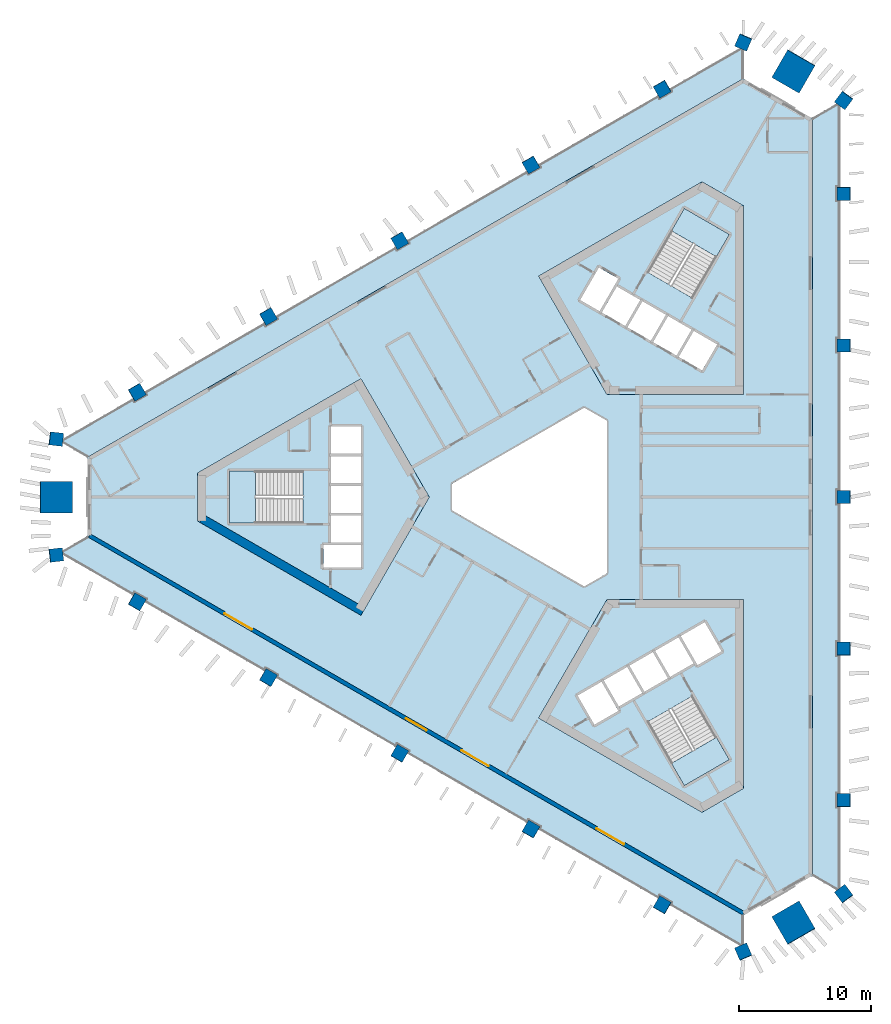
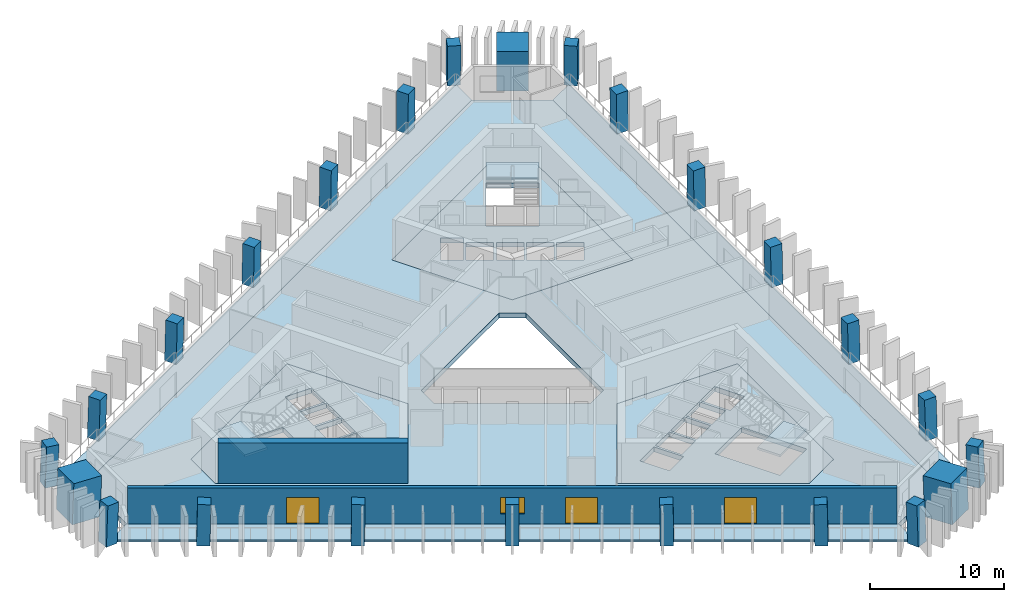
# One storey, part 1 of 10: 24 columns, 10 slabs, 3 doors, 2 walls, 1 window, 4 openings, 3 elements without a shape of their own.
"""IFC4 building model written with IfcOpenShell, lengths in metres."""

import ifcopenshell
import ifcopenshell.guid

model = None  # the IFC model being written
_history = None  # IfcOwnerHistory: only IFC2X3 demands one
_inside = {}  # id of a spatial element -> (the spatial element, [elements in it])
_under = {}  # id of a project, library or spatial element -> (it, [spatial elements below it])
_declared = {}  # id of a project -> (the project, [libraries it declares])
_typed = {}  # id of a type object -> (the type object, [elements of that type])
_made_of = {}  # id of a material, layer set ... -> (it, [elements and type objects made of it])


def new_model(schema):
    """Start an empty IFC model of exactly this schema.

    Asked for "IFC4X3", IfcOpenShell would pick the latest addendum, in which some entities
    have other attributes; the version numbers below select the first issue.
    IFC2X3 requires an IfcOwnerHistory on every rooted entity: one is made here for all.
    """
    global model, _history
    if schema == "IFC4X3":
        model = ifcopenshell.file(schema_version=(4, 3, 0, 0))
    else:
        model = ifcopenshell.file(schema=schema)
    _inside.clear()
    _under.clear()
    _declared.clear()
    _typed.clear()
    _made_of.clear()
    _history = None
    if model.schema == "IFC2X3":
        org = make("IfcOrganization", Name="unknown")
        user = make(
            "IfcPersonAndOrganization",
            ThePerson=make("IfcPerson", FamilyName="unknown"),
            TheOrganization=org,
        )
        app = make(
            "IfcApplication",
            ApplicationDeveloper=org,
            Version="unknown",
            ApplicationFullName="unknown",
            ApplicationIdentifier="unknown",
        )
        _history = make(
            "IfcOwnerHistory",
            OwningUser=user,
            OwningApplication=app,
            ChangeAction="ADDED",
            CreationDate=0,
        )
    return model


def make(cls, **values):
    """One entity of the class cls with the attributes given. An attribute that is None is left unset."""
    return model.create_entity(
        cls, **{name: value for name, value in values.items() if value is not None}
    )


def rooted(cls, **values):
    """An entity with a GlobalId (a new one), such as an element, a storey or a relation."""
    return make(cls, GlobalId=ifcopenshell.guid.new(), OwnerHistory=_history, **values)


def si_unit(unit_type, name, prefix=None):
    """IfcSIUnit, for example si_unit("LENGTHUNIT", "METRE", prefix="MILLI")."""
    return make("IfcSIUnit", UnitType=unit_type, Prefix=prefix, Name=name)


def assignment(units):
    """IfcUnitAssignment: the units of a project."""
    return None if units is None else make("IfcUnitAssignment", Units=units)


def point(xyz):
    """IfcCartesianPoint."""
    return None if xyz is None else make("IfcCartesianPoint", Coordinates=xyz)


def direction(xyz):
    """IfcDirection."""
    return None if xyz is None else make("IfcDirection", DirectionRatios=xyz)


def frame(location, z_axis=None, x_axis=None):
    """IfcAxis2Placement3D, a coordinate frame: its origin and axes. An axis left out is left unset."""
    return make(
        "IfcAxis2Placement3D",
        Location=point(location),
        Axis=direction(z_axis),
        RefDirection=direction(x_axis),
    )


def frame_2d(location, x_axis=None):
    """IfcAxis2Placement2D, a coordinate frame in the plane: its origin and x axis."""
    return make(
        "IfcAxis2Placement2D", Location=point(location), RefDirection=direction(x_axis)
    )


def origin():
    """The frame at (0, 0, 0) with its axes left unset."""
    return frame((0.0, 0.0, 0.0))


def origin_2d():
    """The frame at (0, 0) in the plane with its x axis left unset."""
    return frame_2d((0.0, 0.0))


def place(relative_to, where):
    """IfcLocalPlacement: puts the frame where relative to a parent placement (None: the world)."""
    return make(
        "IfcLocalPlacement", PlacementRelTo=relative_to, RelativePlacement=where
    )


def context(
    kind, dimensions, precision=None, world=None, true_north=None, identifier=None
):
    """IfcGeometricRepresentationContext, for example the 3D "Model" context."""
    return make(
        "IfcGeometricRepresentationContext",
        ContextIdentifier=identifier,
        ContextType=kind,
        CoordinateSpaceDimension=dimensions,
        Precision=precision,
        WorldCoordinateSystem=world,
        TrueNorth=true_north,
    )


def subcontext(parent, identifier, kind, view, scale=None):
    """IfcGeometricRepresentationSubContext, for example "Body" below "Model"."""
    return make(
        "IfcGeometricRepresentationSubContext",
        ContextIdentifier=identifier,
        ContextType=kind,
        ParentContext=parent,
        TargetScale=scale,
        TargetView=view,
    )


def project(units=None, contexts=None):
    """IfcProject with its units and contexts."""
    return rooted(
        "IfcProject",
        Name="project",
        RepresentationContexts=contexts,
        UnitsInContext=assignment(units),
    )


def spatial(cls, under=None, at=None, **own):
    """A site, building, storey or space (cls), placed at a placement, below another one or the project."""
    s = rooted(cls, ObjectPlacement=at, **own)
    if under is not None:
        _under.setdefault(under.id(), (under, []))[1].append(s)
    return s


def polyline(points):
    """IfcPolyline through the points."""
    return make("IfcPolyline", Points=[point(p) for p in points])


def profile(cls, at=None, kind="AREA", **sizes):
    """A parametric profile (cls). Its sizes go by their IFC names, for example OverallWidth=200.0."""
    return make(cls, ProfileType=kind, Position=at, **sizes)


def rectangle(**sizes):
    """IfcRectangleProfileDef."""
    return profile("IfcRectangleProfileDef", **sizes)


def outline(outer, holes=None, kind="AREA"):
    """IfcArbitraryClosedProfileDef: a profile drawn as a closed curve; with holes, ...WithVoids."""
    if holes is None:
        return make("IfcArbitraryClosedProfileDef", ProfileType=kind, OuterCurve=outer)
    return make(
        "IfcArbitraryProfileDefWithVoids",
        ProfileType=kind,
        OuterCurve=outer,
        InnerCurves=holes,
    )


def extrude(swept, where, along, depth):
    """IfcExtrudedAreaSolid: the profile swept, set in the frame where, extruded along a direction by depth."""
    return make(
        "IfcExtrudedAreaSolid",
        SweptArea=swept,
        Position=where,
        ExtrudedDirection=direction(along),
        Depth=depth,
    )


def shape(context_of_items, identifier, shape_type, items):
    """IfcShapeRepresentation: the items that make up one representation, for example the "Body"."""
    return make(
        "IfcShapeRepresentation",
        ContextOfItems=context_of_items,
        RepresentationIdentifier=identifier,
        RepresentationType=shape_type,
        Items=items,
    )


def material(Name=None, Category=None):
    """IfcMaterial."""
    return make("IfcMaterial", Name=Name, Category=Category)


def layer(
    of_material, thickness, ventilated=None, Name=None, Category=None, Priority=None
):
    """IfcMaterialLayer: one layer of a wall or slab, of a material (None: an air gap)."""
    return make(
        "IfcMaterialLayer",
        Material=of_material,
        LayerThickness=thickness,
        IsVentilated=ventilated,
        Name=Name,
        Category=Category,
        Priority=Priority,
    )


def layer_set(layers, Name=None):
    """IfcMaterialLayerSet."""
    return make("IfcMaterialLayerSet", MaterialLayers=layers, LayerSetName=Name)


def material_profile(
    of_material, cross_section, Name=None, Category=None, Priority=None
):
    """IfcMaterialProfile: a cross section and its material."""
    return make(
        "IfcMaterialProfile",
        Name=Name,
        Material=of_material,
        Profile=cross_section,
        Priority=Priority,
        Category=Category,
    )


def profile_set(profiles, Name=None, composite=None):
    """IfcMaterialProfileSet."""
    return make(
        "IfcMaterialProfileSet",
        Name=Name,
        MaterialProfiles=profiles,
        CompositeProfile=composite,
    )


def made_of(thing, what):
    """Note that an element or type object is made of a material, layer set ...; save() writes the relation."""
    if what is not None:
        _made_of.setdefault(what.id(), (what, []))[1].append(thing)
    return thing


def type_object(cls, material=None, **own):
    """A type object (cls), such as IfcWallType, which elements share."""
    return made_of(rooted(cls, **own), material)


def element(
    cls,
    number,
    at=None,
    inside=None,
    cuts=None,
    type_object=None,
    material=None,
    context=None,
    identifier="Body",
    shape_type=None,
    held_by="IfcProductDefinitionShape",
    body=None,
    shapes=None,
    **own,
):
    """One element of the class cls, such as IfcWall. Its Tag is "e" and its number.

    at: its placement. inside: the storey or other place that contains it. cuts: it is an
    opening in that element (IfcRelVoidsElement). A single representation is given by context,
    identifier, shape_type and body (its items); several are given by shapes. held_by: the class
    of the entity that holds the representations. save() writes the other relations.
    """
    e = rooted(cls, Tag="e%d" % number, ObjectPlacement=at, **own)
    if body is not None:
        shapes = [shape(context, identifier, shape_type, body)]
    if shapes is not None:
        e.Representation = make(held_by, Representations=shapes)
    if inside is not None:
        _inside.setdefault(inside.id(), (inside, []))[1].append(e)
    if cuts is not None:
        rooted(
            "IfcRelVoidsElement", RelatingBuildingElement=cuts, RelatedOpeningElement=e
        )
    if type_object is not None:
        _typed.setdefault(type_object.id(), (type_object, []))[1].append(e)
    return made_of(e, material)


def fill(opening, filler):
    """IfcRelFillsElement: the door or window that sits in an opening."""
    return rooted(
        "IfcRelFillsElement",
        RelatingOpeningElement=opening,
        RelatedBuildingElement=filler,
    )


def aggregate(whole, parts):
    """IfcRelAggregates: a whole, such as a stair, and the parts it consists of."""
    return rooted("IfcRelAggregates", RelatingObject=whole, RelatedObjects=parts)


def save(model, path):
    """Write the relations noted so far, then the file.

    IfcRelAggregates (storeys below a building ...), IfcRelContainedInSpatialStructure (elements
    in a storey), IfcRelDefinesByType, IfcRelAssociatesMaterial and IfcRelDeclares: one each for
    every whole, place, type object, material and project.
    """
    for whole, parts in _under.values():
        aggregate(whole, parts)
    for where, things in _inside.values():
        rooted(
            "IfcRelContainedInSpatialStructure",
            RelatedElements=things,
            RelatingStructure=where,
        )
    for kind, things in _typed.values():
        rooted("IfcRelDefinesByType", RelatedObjects=things, RelatingType=kind)
    for what, things in _made_of.values():
        rooted("IfcRelAssociatesMaterial", RelatedObjects=things, RelatingMaterial=what)
    for by, libraries in _declared.values():
        rooted("IfcRelDeclares", RelatingContext=by, RelatedDefinitions=libraries)
    model.write(path)


model = new_model("IFC4")

# Units and contexts
model_context = context("Model", 3, precision=1e-05, world=origin(), true_north=direction((0.0, 1.0)))
body_context = subcontext(model_context, "Body", "Model", "MODEL_VIEW")
ifc_project = project(units=[si_unit("LENGTHUNIT", "METRE"), si_unit("AREAUNIT", "SQUARE_METRE"), si_unit("VOLUMEUNIT", "CUBIC_METRE"), si_unit("PLANEANGLEUNIT", "RADIAN"), si_unit("MASSUNIT", "GRAM", prefix="KILO")], contexts=[model_context])

# Site, building, storey
site_placement = place(None, origin())
site = spatial("IfcSite", under=ifc_project, at=site_placement, CompositionType="ELEMENT")
building_placement = place(site_placement, origin())
building = spatial("IfcBuilding", under=site, at=building_placement, Name="Jabali Bay Hotel Tower and Convention Centre", CompositionType="ELEMENT")
storey_placement = place(building_placement, frame((0.0, 0.0, 106.800048828125)))
storey = spatial("IfcBuildingStorey", under=building, at=storey_placement, Name="L25", CompositionType="ELEMENT", Elevation=106.800048828125)

# Columns
ifc_material_1 = material(Name="Concrete C60", Category="concrete")
ifc_material_profile_1 = material_profile(ifc_material_1, rectangle(XDim=1.0, YDim=1.0, at=origin_2d()), Name="Frame column 1000")
ifc_profile_set_1 = profile_set([ifc_material_profile_1], Name="Concrete C60")
column_type_1 = type_object("IfcColumnType", Name="Frame column 1000", PredefinedType="COLUMN", material=ifc_profile_set_1)
column_1_placement = place(storey_placement, frame((83.705322265625, 111.006103515625, 0.0), z_axis=(-0.00837646992, -0.028097450282, 0.999570091609), x_axis=(0.866172944967, 0.499290516463, 0.0212934163)))
element("IfcColumn", 1, at=column_1_placement, inside=storey, type_object=column_type_1, Name="FC3 F1.1 L25", PredefinedType="COLUMN", context=body_context, shape_type="SweptSolid", body=[
    extrude(rectangle(XDim=1.0, YDim=1.0, at=origin_2d()), origin(), (0.0, 0.0, 1.0), 3.70166015625),
])
column_2_placement = place(storey_placement, frame((73.727783203125, 105.24560546875, 0.0), z_axis=(0.000857578916, -0.022824792675, 0.999739112668), x_axis=(0.866054303765, 0.499836094294, 0.010668728649)))
element("IfcColumn", 2, at=column_2_placement, inside=storey, type_object=column_type_1, Name="FC3 F1.2 L25", PredefinedType="COLUMN", context=body_context, shape_type="SweptSolid", body=[
    extrude(rectangle(XDim=1.0, YDim=1.0, at=origin_2d()), origin(), (0.0, 0.0, 1.0), 3.700927734375),
])
column_3_placement = place(storey_placement, frame((63.750244140625, 99.485107421875, 0.0), z_axis=(0.010093620709, -0.017482414954, 0.999796221231), x_axis=(0.866020200589, 0.50000901209, 8.5616e-08)))
element("IfcColumn", 3, at=column_3_placement, inside=storey, type_object=column_type_1, Name="FC3 F1.3 L25", PredefinedType="COLUMN", context=body_context, shape_type="SweptSolid", body=[
    extrude(rectangle(XDim=1.0, YDim=1.0, at=origin_2d()), origin(), (0.0, 0.0, 1.0), 3.70068359375),
])
column_4_placement = place(storey_placement, frame((53.772705078125, 93.724609375, 0.0), z_axis=(0.019328516974, -0.012138044789, 0.999739504221), x_axis=(-0.500205614953, 0.865671455024, 0.020181048691)))
element("IfcColumn", 4, at=column_4_placement, inside=storey, type_object=column_type_1, Name="FC3 F1.4 L25", PredefinedType="COLUMN", context=body_context, shape_type="SweptSolid", body=[
    extrude(rectangle(XDim=1.0, YDim=1.0, at=origin_2d()), origin(), (0.0, 0.0, 1.0), 3.700927734375),
])
for number, where, z_axis, x_axis, name in (
    (5, (43.795166015625, 87.964111328125, 0.0), (0.02855911485, -0.006793507689, 0.999569019734), (-0.500399895775, 0.865559193602, 0.020179858252), "FC3 F1.5 L25"),
    (6, (43.795166015625, 72.035888671875, 0.0), (0.02855911485, 0.006793507689, 0.999569019734), (-0.865323246693, 0.500760552185, 0.021320133879), "FC3 F2.1 L25"),
):
    element("IfcColumn", number, at=place(storey_placement, frame(where, z_axis=z_axis, x_axis=x_axis)), inside=storey, type_object=column_type_1, Name=name, PredefinedType="COLUMN", context=body_context, shape_type="SweptSolid", body=[
        extrude(rectangle(XDim=1.0, YDim=1.0, at=origin_2d()), origin(), (0.0, 0.0, 1.0), 3.70166015625),
    ])
column_5_placement = place(storey_placement, frame((53.772705078125, 66.275390625, 0.0), z_axis=(0.019328516974, 0.012138044789, 0.999739504221), x_axis=(-0.865690909737, 0.500465383244, 0.010660627254)))
element("IfcColumn", 7, at=column_5_placement, inside=storey, type_object=column_type_1, Name="FC3 F2.2 L25", PredefinedType="COLUMN", context=body_context, shape_type="SweptSolid", body=[
    extrude(rectangle(XDim=1.0, YDim=1.0, at=origin_2d()), origin(), (0.0, 0.0, 1.0), 3.700927734375),
])
column_6_placement = place(storey_placement, frame((63.750244140625, 60.514892578125, 0.0), z_axis=(0.010093620709, 0.017482414954, 0.999796221231), x_axis=(-0.499907122366, -0.865843723195, 0.020187025824)))
element("IfcColumn", 8, at=column_6_placement, inside=storey, type_object=column_type_1, Name="FC3 F2.3 L25", PredefinedType="COLUMN", context=body_context, shape_type="SweptSolid", body=[
    extrude(rectangle(XDim=1.0, YDim=1.0, at=origin_2d()), origin(), (0.0, 0.0, 1.0), 3.70068359375),
])
column_7_placement = place(storey_placement, frame((73.727783203125, 54.75439453125, 0.0), z_axis=(0.000857578916, 0.022824792675, 0.999739112668), x_axis=(-0.499949204908, -0.865819211891, 0.020196158824)))
element("IfcColumn", 9, at=column_7_placement, inside=storey, type_object=column_type_1, Name="FC3 F2.4 L25", PredefinedType="COLUMN", context=body_context, shape_type="SweptSolid", body=[
    extrude(rectangle(XDim=1.0, YDim=1.0, at=origin_2d()), origin(), (0.0, 0.0, 1.0), 3.700927734375),
])
for number, where, z_axis, x_axis, name in (
    (10, (83.705322265625, 48.993896484375, 0.0), (-0.00837646992, 0.028097450282, 0.999570091609), (-0.499674157986, -0.865978933611, 0.020154959265), "FC3 F2.5 L25"),
    (11, (97.49951171875, 56.9580078125, 0.0), (-0.020182659751, 0.021303918626, 0.999569308901), (0.000221932948, -0.999772833181, 0.021312737486), "FC3 F0.1 L25"),
):
    element("IfcColumn", number, at=place(storey_placement, frame(where, z_axis=z_axis, x_axis=x_axis)), inside=storey, type_object=column_type_1, Name=name, PredefinedType="COLUMN", context=body_context, shape_type="SweptSolid", body=[
        extrude(rectangle(XDim=1.0, YDim=1.0, at=origin_2d()), origin(), (0.0, 0.0, 1.0), 3.70166015625),
    ])
column_8_placement = place(storey_placement, frame((97.49951171875, 68.47900390625, 0.0), z_axis=(-0.020186088539, 0.010686752756, 0.999739123544), x_axis=(-0.001012906877, -0.999942577175, 0.010668475618)))
element("IfcColumn", 12, at=column_8_placement, inside=storey, type_object=column_type_1, Name="FC3 F0.2 L25", PredefinedType="COLUMN", context=body_context, shape_type="SweptSolid", body=[
    extrude(rectangle(XDim=1.0, YDim=1.0, at=origin_2d()), origin(), (0.0, 0.0, 1.0), 3.700927734375),
])
column_9_placement = place(storey_placement, frame((97.49951171875, 80.0, 0.0), z_axis=(-0.020187241331, 0.0, 0.99979621688), x_axis=(0.0, -1.0, 0.0)))
element("IfcColumn", 13, at=column_9_placement, inside=storey, type_object=column_type_1, Name="FC3 F0.3 L25", PredefinedType="COLUMN", context=body_context, shape_type="SweptSolid", body=[
    extrude(rectangle(XDim=1.0, YDim=1.0, at=origin_2d()), origin(), (0.0, 0.0, 1.0), 3.70068359375),
])
column_10_placement = place(storey_placement, frame((97.49951171875, 91.52099609375, 0.0), z_axis=(-0.020186088539, -0.010686752756, 0.999739123544), x_axis=(0.999795727061, 0.00079728784, 0.020195754082)))
element("IfcColumn", 14, at=column_10_placement, inside=storey, type_object=column_type_1, Name="FC3 F0.4 L25", PredefinedType="COLUMN", context=body_context, shape_type="SweptSolid", body=[
    extrude(rectangle(XDim=1.0, YDim=1.0, at=origin_2d()), origin(), (0.0, 0.0, 1.0), 3.700927734375),
])
column_11_placement = place(storey_placement, frame((97.49951171875, 103.0419921875, 0.0), z_axis=(-0.020182659751, -0.021303918626, 0.999569308901), x_axis=(0.999796284746, -0.000651985093, 0.020173346879)))
element("IfcColumn", 15, at=column_11_placement, inside=storey, type_object=column_type_1, Name="FC3 F0.5 L25", PredefinedType="COLUMN", context=body_context, shape_type="SweptSolid", body=[
    extrude(rectangle(XDim=1.0, YDim=1.0, at=origin_2d()), origin(), (0.0, 0.0, 1.0), 3.70166015625),
])
for number, where, z_axis, x_axis, name in (
    (16, (97.49951171875, 49.84423828125, 0.0), (-0.020178741915, 0.029015184452, 0.999375273581), (-0.80160141065, -0.597857678699, 0.001172375254), "FC3 V0 L25"),
    (17, (97.49951171875, 110.15576171875, 0.0), (-0.020178741915, -0.029015184452, 0.999375273581), (0.597518197897, 0.801076972014, 0.035322628587), "FC3 V1 L25"),
    (18, (89.865966796875, 114.56298828125, 0.0), (-0.015035141917, -0.031982648376, 0.99937533225), (0.918593615635, -0.395201714294, 0.00117232022), "FC3 V2 L25"),
    (19, (37.634521484375, 84.4072265625, 0.0), (0.03521388716, -0.002967462401, 0.999375393092), (-0.992511910896, 0.116930138927, 0.035319248873), "FC3 V3 L25"),
    (20, (37.634521484375, 75.5927734375, 0.0), (0.03521388716, 0.002967462401, 0.999375393092), (-0.116961912097, 0.993135709144, 0.00117232294), "FC3 V4 L25"),
    (21, (89.865966796875, 45.43701171875, 0.0), (-0.015035141917, 0.031982648376, 0.99937533225), (0.394917350623, -0.918037425829, 0.03532097047), "FC3 V5 L25"),
):
    element("IfcColumn", number, at=place(storey_placement, frame(where, z_axis=z_axis, x_axis=x_axis)), inside=storey, type_object=column_type_1, Name=name, PredefinedType="COLUMN", context=body_context, shape_type="SweptSolid", body=[
        extrude(rectangle(XDim=1.0, YDim=1.0, at=origin_2d()), origin(), (0.0, 0.0, 1.0), 3.7021484375),
    ])
ifc_material_2 = material(Name="Concrete C70", Category="concrete")
ifc_material_profile_2 = material_profile(ifc_material_2, rectangle(XDim=2.39990234375, YDim=2.39990234375, at=origin_2d()), Name="Mega column 2400")
ifc_profile_set_2 = profile_set([ifc_material_profile_2], Name="Concrete C70")
column_type_2 = type_object("IfcColumnType", Name="Mega column 2400", PredefinedType="COLUMN", material=ifc_profile_set_2)
for number, where, z_axis, x_axis, name in (
    (22, (93.6826171875, 112.359375, 0.0), (-0.017607037296, -0.030466109479, 0.999380712447), (0.500067085975, 0.865271470658, 0.035187946645), "MC3 M1 L25"),
    (23, (37.634521484375, 80.0, 0.0), (0.035214042205, 0.0, 0.999379793288), (0.0, 1.0, 0.0), "MC3 M0 L25"),
    (24, (93.6826171875, 47.640625, 0.0), (-0.017607037296, 0.030466109479, 0.999380712447), (-0.865807658641, -0.500376956142, 2.31533e-07), "MC3 M2 L25"),
):
    element("IfcColumn", number, at=place(storey_placement, frame(where, z_axis=z_axis, x_axis=x_axis)), inside=storey, type_object=column_type_2, Name=name, PredefinedType="COLUMN", context=body_context, shape_type="SweptSolid", body=[
        extrude(rectangle(XDim=2.39990234375, YDim=2.39990234375, at=origin_2d()), origin(), (0.0, 0.0, 1.0), 3.7021484375),
    ])

# Slabs
ifc_material_3 = material(Name="Concrete C40", Category="concrete")
ifc_layer_1 = layer(ifc_material_3, 0.449951171875)
ifc_layer_set_1 = layer_set([ifc_layer_1], Name="Concrete C40")
slab_type_1 = type_object("IfcSlabType", Name="Core floor slab 450", PredefinedType="FLOOR", material=ifc_layer_set_1)
slab_1_placement = place(storey_placement, frame((0.0, 0.0, -0.449951171875)))
element("IfcSlab", 25, at=slab_1_placement, inside=storey, type_object=slab_type_1, Name="Core floor slab 1 L25", PredefinedType="FLOOR", context=body_context, shape_type="SweptSolid", body=[
    extrude(outline(polyline([(66.0, 80.0), (60.81005859375, 88.9892578125), (48.39697265625, 81.82275390625), (48.39697265625, 78.17724609375), (60.81005859375, 71.0107421875), (66.0, 80.0)]), holes=[polyline([(60.800048828125, 74.64990234375), (60.800048828125, 76.35009765625), (57.949951171875, 76.35009765625), (57.949951171875, 74.64990234375), (60.800048828125, 74.64990234375)]), polyline([(58.52001953125, 76.550048828125), (60.800048828125, 76.550048828125), (60.800048828125, 78.60009765625), (58.52001953125, 78.60009765625), (58.52001953125, 76.550048828125)]), polyline([(58.52001953125, 78.800048828125), (60.800048828125, 78.800048828125), (60.800048828125, 80.85009765625), (58.52001953125, 80.85009765625), (58.52001953125, 78.800048828125)]), polyline([(56.409912109375, 81.97509765625), (50.820068359375, 81.97509765625), (50.820068359375, 78.02490234375), (56.409912109375, 78.02490234375), (56.409912109375, 81.97509765625)]), polyline([(58.52001953125, 81.050048828125), (60.800048828125, 81.050048828125), (60.800048828125, 83.10009765625), (58.52001953125, 83.10009765625), (58.52001953125, 81.050048828125)]), polyline([(58.52001953125, 83.300048828125), (60.800048828125, 83.300048828125), (60.800048828125, 85.35009765625), (58.52001953125, 85.35009765625), (58.52001953125, 83.300048828125)])]), origin(), (0.0, 0.0, 1.0), 0.449951171875),
])
slab_2_placement = place(storey_placement, frame((0.0, 0.0, -0.449951171875)))
element("IfcSlab", 26, at=slab_2_placement, inside=storey, type_object=slab_type_1, Name="Core floor slab 2 L25", PredefinedType="FLOOR", context=body_context, shape_type="SweptSolid", body=[
    extrude(outline(polyline([(79.5, 87.794189453125), (89.8798828125, 87.794189453125), (89.8798828125, 102.127685546875), (86.72314453125, 103.9501953125), (74.31005859375, 96.78369140625), (79.5, 87.794189453125)]), holes=[polyline([(84.957763671875, 90.6474609375), (86.733154296875, 89.62255859375), (87.873291015625, 91.59716796875), (86.097900390625, 92.6220703125), (84.957763671875, 90.6474609375)]), polyline([(84.1494140625, 93.7470703125), (83.00927734375, 91.7724609375), (84.78466796875, 90.74755859375), (85.924560546875, 92.72216796875), (84.1494140625, 93.7470703125)]), polyline([(82.20068359375, 94.8720703125), (81.060791015625, 92.8974609375), (82.836181640625, 91.87255859375), (83.97607421875, 93.84716796875), (82.20068359375, 94.8720703125)]), polyline([(79.1123046875, 94.0224609375), (80.887451171875, 92.99755859375), (82.027587890625, 94.97216796875), (80.252197265625, 95.9970703125), (79.1123046875, 94.0224609375)]), polyline([(78.891845703125, 97.440673828125), (77.466796875, 94.97265625), (78.93896484375, 94.12255859375), (80.364013671875, 96.5908203125), (78.891845703125, 97.440673828125)]), polyline([(82.584716796875, 97.0869140625), (86.00537109375, 95.11181640625), (88.80029296875, 99.952880859375), (85.379638671875, 101.927978515625), (82.584716796875, 97.0869140625)])]), origin(), (0.0, 0.0, 1.0), 0.449951171875),
])
slab_3_placement = place(storey_placement, frame((0.0, 0.0, -0.449951171875)))
element("IfcSlab", 27, at=slab_3_placement, inside=storey, type_object=slab_type_1, Name="Core floor slab 3 L25", PredefinedType="FLOOR", context=body_context, shape_type="SweptSolid", body=[
    extrude(outline(polyline([(79.5, 72.205810546875), (74.31005859375, 63.21630859375), (86.72314453125, 56.0498046875), (89.8798828125, 57.872314453125), (89.8798828125, 72.205810546875), (79.5, 72.205810546875)]), holes=[polyline([(82.584716796875, 62.9130859375), (85.379638671875, 58.072021484375), (88.80029296875, 60.047119140625), (86.00537109375, 64.88818359375), (82.584716796875, 62.9130859375)]), polyline([(80.365478515625, 63.756591796875), (79.090576171875, 65.96484375), (77.27197265625, 64.9150390625), (78.546875, 62.70654296875), (80.365478515625, 63.756591796875)]), polyline([(82.17919921875, 65.115478515625), (81.0390625, 67.08984375), (79.263671875, 66.06494140625), (80.40380859375, 64.09033203125), (82.17919921875, 65.115478515625)]), polyline([(82.98779296875, 68.21484375), (81.21240234375, 67.18994140625), (82.352294921875, 65.21533203125), (84.127685546875, 66.240478515625), (82.98779296875, 68.21484375)]), polyline([(86.076171875, 67.365478515625), (84.936279296875, 69.33984375), (83.160888671875, 68.31494140625), (84.30078125, 66.34033203125), (86.076171875, 67.365478515625)]), polyline([(88.203125, 68.281494140625), (86.927978515625, 70.489990234375), (85.109375, 69.43994140625), (86.384521484375, 67.231689453125), (88.203125, 68.281494140625)])]), origin(), (0.0, 0.0, 1.0), 0.449951171875),
])
ifc_layer_2 = layer(ifc_material_3, 0.199951171875)
ifc_layer_set_2 = layer_set([ifc_layer_2], Name="Concrete C40")
slab_type_2 = type_object("IfcSlabType", Name="Loggia slab 200", PredefinedType="FLOOR", material=ifc_layer_set_2)
slab_4_placement = place(storey_placement, frame((0.0, 0.0, -0.199951171875)))
element("IfcSlab", 28, at=slab_4_placement, inside=storey, type_object=slab_type_2, Name="Loggia slab east face L25", PredefinedType="FLOOR", context=body_context, shape_type="SweptSolid", body=[
    extrude(outline(polyline([(95.099609375, 108.770263671875), (97.028076171875, 109.883544921875), (97.199462890625, 109.755859375), (97.199462890625, 103.5419921875), (96.99951171875, 103.5419921875), (96.99951171875, 102.5419921875), (97.199462890625, 102.5419921875), (97.199462890625, 92.02099609375), (96.99951171875, 92.02099609375), (96.99951171875, 91.02099609375), (97.199462890625, 91.02099609375), (97.199462890625, 80.5), (96.99951171875, 80.5), (96.99951171875, 79.5), (97.199462890625, 79.5), (97.199462890625, 68.97900390625), (96.99951171875, 68.97900390625), (96.99951171875, 67.97900390625), (97.199462890625, 67.97900390625), (97.199462890625, 57.4580078125), (96.99951171875, 57.4580078125), (96.99951171875, 56.4580078125), (97.199462890625, 56.4580078125), (97.199462890625, 50.244140625), (97.028076171875, 50.116455078125), (95.099609375, 51.229736328125), (95.099609375, 108.770263671875)])), origin(), (0.0, 0.0, 1.0), 0.199951171875),
])
slab_5_placement = place(storey_placement, frame((0.0, 0.0, -0.199951171875)))
element("IfcSlab", 29, at=slab_5_placement, inside=storey, type_object=slab_type_2, Name="Loggia slab north-west face L25", PredefinedType="FLOOR", context=body_context, shape_type="SweptSolid", body=[
    extrude(outline(polyline([(40.03466796875, 83.021484375), (38.10595703125, 84.135009765625), (38.130859375, 84.347412109375), (43.51220703125, 87.454345703125), (43.6123046875, 87.281005859375), (44.478271484375, 87.781005859375), (44.378173828125, 87.954345703125), (53.48974609375, 93.21484375), (53.58984375, 93.04150390625), (54.455810546875, 93.54150390625), (54.355712890625, 93.71484375), (63.46728515625, 98.975341796875), (63.567138671875, 98.802001953125), (64.433349609375, 99.302001953125), (64.333251953125, 99.475341796875), (73.44482421875, 104.73583984375), (73.544677734375, 104.5625), (74.41064453125, 105.0625), (74.310791015625, 105.23583984375), (83.422119140625, 110.496337890625), (83.522216796875, 110.3232421875), (84.38818359375, 110.8232421875), (84.288330078125, 110.996337890625), (89.66943359375, 114.103271484375), (89.865966796875, 114.018798828125), (89.865966796875, 111.791748046875), (40.03466796875, 83.021484375)])), origin(), (0.0, 0.0, 1.0), 0.199951171875),
])
slab_6_placement = place(storey_placement, frame((0.0, 0.0, -0.199951171875)))
element("IfcSlab", 30, at=slab_6_placement, inside=storey, type_object=slab_type_2, Name="Loggia slab south-west face L25", PredefinedType="FLOOR", context=body_context, shape_type="SweptSolid", body=[
    extrude(outline(polyline([(89.865966796875, 48.208251953125), (89.865966796875, 45.981201171875), (89.66943359375, 45.896728515625), (84.288330078125, 49.003662109375), (84.38818359375, 49.1767578125), (83.522216796875, 49.6767578125), (83.422119140625, 49.503662109375), (74.310791015625, 54.76416015625), (74.41064453125, 54.9375), (73.544677734375, 55.4375), (73.44482421875, 55.26416015625), (64.333251953125, 60.524658203125), (64.433349609375, 60.697998046875), (63.567138671875, 61.197998046875), (63.46728515625, 61.024658203125), (54.355712890625, 66.28515625), (54.455810546875, 66.45849609375), (53.58984375, 66.95849609375), (53.48974609375, 66.78515625), (44.378173828125, 72.045654296875), (44.478271484375, 72.218994140625), (43.6123046875, 72.718994140625), (43.51220703125, 72.545654296875), (38.130859375, 75.652587890625), (38.10595703125, 75.864990234375), (40.03466796875, 76.978515625), (89.865966796875, 48.208251953125)])), origin(), (0.0, 0.0, 1.0), 0.199951171875),
])
ifc_layer_3 = layer(ifc_material_3, 0.449951171875)
ifc_layer_set_3 = layer_set([ifc_layer_3], Name="Concrete C40")
slab_type_3 = type_object("IfcSlabType", Name="Post-tensioned flat slab 450", PredefinedType="FLOOR", material=ifc_layer_set_3)
slab_7_placement = place(storey_placement, frame((0.0, 0.0, -0.449951171875)))
element("IfcSlab", 31, at=slab_7_placement, inside=storey, type_object=slab_type_3, Name="Floor slab L25", PredefinedType="FLOOR", context=body_context, shape_type="SweptSolid", body=[
    extrude(outline(polyline([(89.865966796875, 111.791748046875), (95.099609375, 108.770263671875), (95.099609375, 51.229736328125), (89.865966796875, 48.208251953125), (40.03466796875, 76.978515625), (40.03466796875, 83.021484375), (89.865966796875, 111.791748046875)]), holes=[polyline([(67.73193359375, 79.0), (77.76806640625, 73.205810546875), (79.5, 74.205810546875), (79.5, 85.794189453125), (77.76806640625, 86.794189453125), (67.73193359375, 81.0), (67.73193359375, 79.0)]), polyline([(48.39697265625, 78.17724609375), (60.81005859375, 71.0107421875), (66.0, 80.0), (60.81005859375, 88.9892578125), (48.39697265625, 81.82275390625), (48.39697265625, 78.17724609375)]), polyline([(89.8798828125, 102.127685546875), (86.72314453125, 103.9501953125), (74.31005859375, 96.78369140625), (79.5, 87.794189453125), (89.8798828125, 87.794189453125), (89.8798828125, 102.127685546875)]), polyline([(74.31005859375, 63.21630859375), (86.72314453125, 56.0498046875), (89.8798828125, 57.872314453125), (89.8798828125, 72.205810546875), (79.5, 72.205810546875), (74.31005859375, 63.21630859375)])]), origin(), (0.0, 0.0, 1.0), 0.449951171875),
])

# Stair, slab
stair_type = type_object("IfcStairType", Name="Exit stair 1900", PredefinedType="HALF_TURN_STAIR", material=ifc_material_3)
stair_1_placement = place(storey_placement, origin())
stair_1 = element("IfcStair", 32, at=stair_1_placement, inside=storey, type_object=stair_type, Name="L25 Exit Stair 1", PredefinedType="HALF_TURN_STAIR")
ifc_layer_4 = layer(ifc_material_3, 0.199951171875)
ifc_layer_set_4 = layer_set([ifc_layer_4], Name="Concrete C40")
slab_type_4 = type_object("IfcSlabType", Name="Stair landing 200", PredefinedType="LANDING", material=ifc_layer_set_4)
slab_8_placement = place(storey_placement, frame((0.0, 0.0, 1.64990234375)))
slab_8 = element("IfcSlab", 33, at=slab_8_placement, type_object=slab_type_4, Name="ST1 landing 1", PredefinedType="LANDING", context=body_context, shape_type="SweptSolid", body=[
    extrude(outline(polyline([(52.782958984375, 81.97509765625), (50.820068359375, 81.97509765625), (50.820068359375, 78.02490234375), (52.782958984375, 78.02490234375), (52.782958984375, 81.97509765625)])), origin(), (0.0, 0.0, 1.0), 0.199951171875),
])
aggregate(stair_1, [slab_8])

stair_2_placement = place(storey_placement, origin())
stair_2 = element("IfcStair", 34, at=stair_2_placement, inside=storey, type_object=stair_type, Name="L25 Exit Stair 2", PredefinedType="HALF_TURN_STAIR")
slab_9_placement = place(storey_placement, frame((0.0, 0.0, 1.64990234375)))
slab_9 = element("IfcSlab", 35, at=slab_9_placement, type_object=slab_type_4, Name="ST2 landing 1", PredefinedType="LANDING", context=body_context, shape_type="SweptSolid", body=[
    extrude(outline(polyline([(87.81884765625, 98.2529296875), (88.80029296875, 99.952880859375), (85.379638671875, 101.927978515625), (84.398193359375, 100.22802734375), (87.81884765625, 98.2529296875)])), origin(), (0.0, 0.0, 1.0), 0.199951171875),
])
aggregate(stair_2, [slab_9])

stair_3_placement = place(storey_placement, origin())
stair_3 = element("IfcStair", 36, at=stair_3_placement, inside=storey, type_object=stair_type, Name="L25 Exit Stair 3", PredefinedType="HALF_TURN_STAIR")
slab_10_placement = place(storey_placement, frame((0.0, 0.0, 1.64990234375)))
slab_10 = element("IfcSlab", 37, at=slab_10_placement, type_object=slab_type_4, Name="ST3 landing 1", PredefinedType="LANDING", context=body_context, shape_type="SweptSolid", body=[
    extrude(outline(polyline([(84.398193359375, 59.77197265625), (85.379638671875, 58.072021484375), (88.80029296875, 60.047119140625), (87.81884765625, 61.7470703125), (84.398193359375, 59.77197265625)])), origin(), (0.0, 0.0, 1.0), 0.199951171875),
])
aggregate(stair_3, [slab_10])

# Wall
ifc_layer_5 = layer(ifc_material_1, 0.64990234375)
ifc_layer_set_5 = layer_set([ifc_layer_5], Name="Concrete C60")
wall_type_1 = type_object("IfcWallType", Name="Core wall 650", PredefinedType="SHEAR", material=ifc_layer_set_5)
wall_1_placement = place(storey_placement, frame((48.721923828125, 78.364990234375, 0.0), z_axis=(0.0, 0.0, 1.0), x_axis=(0.866020036431, -0.500009296414, 0.0)))
element("IfcWall", 38, at=wall_1_placement, inside=storey, type_object=wall_type_1, Name="Core wall 1.4 L25", PredefinedType="SHEAR", context=body_context, shape_type="SweptSolid", body=[
    extrude(rectangle(XDim=14.145751953125, YDim=0.64990234375, at=frame_2d((7.07275390625, 0.0))), origin(), (0.0, 0.0, 1.0), 3.699951171875),
])

# Wall, openings, doors, window
ifc_layer_6 = layer(ifc_material_3, 0.300048828125)
ifc_layer_set_6 = layer_set([ifc_layer_6], Name="Concrete C40")
wall_type_2 = type_object("IfcWallType", Name="External wall 300", PredefinedType="SOLIDWALL", material=ifc_layer_set_6)
wall_2_placement = place(storey_placement, frame((89.865966796875, 48.38134765625, 0.0), z_axis=(0.0, 0.0, 1.0), x_axis=(-0.866025206658, 0.500000341433, 0.0)))
wall_2 = element("IfcWall", 39, at=wall_2_placement, inside=storey, type_object=wall_type_2, Name="External wall south-west face L25", PredefinedType="SOLIDWALL", context=body_context, shape_type="SweptSolid", body=[
    extrude(rectangle(XDim=57.3671875, YDim=0.300048828125, at=frame_2d((28.68359375, 0.0))), origin(), (0.0, 0.0, 1.0), 3.25),
])
opening_1_placement = place(wall_2_placement, frame((22.33935546875, 0.0, 0.0)))
opening_1 = element("IfcOpeningElement", 40, at=opening_1_placement, cuts=wall_2, Name="Opening SD1", PredefinedType="OPENING", context=body_context, shape_type="SweptSolid", body=[
    extrude(rectangle(XDim=2.39990234375, YDim=2.39990234375, at=frame_2d((1.199951171875, 1.199951171875))), frame((0.0, 0.16064453125, 0.0), z_axis=(0.0, -1.0, 0.0), x_axis=(1.0, 0.0, 0.0)), (0.0, 0.0, 1.0), 0.321044921875),
])
opening_2_placement = place(wall_2_placement, frame((10.480224609375, 0.0, 0.0)))
opening_2 = element("IfcOpeningElement", 41, at=opening_2_placement, cuts=wall_2, Name="Opening SD1", PredefinedType="OPENING", context=body_context, shape_type="SweptSolid", body=[
    extrude(rectangle(XDim=2.39990234375, YDim=2.39990234375, at=frame_2d((1.199951171875, 1.199951171875))), frame((0.0, 0.16064453125, 0.0), z_axis=(0.0, -1.0, 0.0), x_axis=(1.0, 0.0, 0.0)), (0.0, 0.0, 1.0), 0.321044921875),
])
opening_3_placement = place(wall_2_placement, frame((43.11572265625, 0.0, 0.0)))
opening_3 = element("IfcOpeningElement", 42, at=opening_3_placement, cuts=wall_2, Name="Opening SD1", PredefinedType="OPENING", context=body_context, shape_type="SweptSolid", body=[
    extrude(rectangle(XDim=2.39990234375, YDim=2.39990234375, at=frame_2d((1.199951171875, 1.199951171875))), frame((0.0, 0.16064453125, 0.0), z_axis=(0.0, -1.0, 0.0), x_axis=(1.0, 0.0, 0.0)), (0.0, 0.0, 1.0), 0.321044921875),
])
opening_4_placement = place(wall_2_placement, frame((27.783447265625, 0.0, 0.89990234375)))
opening_4 = element("IfcOpeningElement", 43, at=opening_4_placement, cuts=wall_2, Name="Opening W1", PredefinedType="OPENING", context=body_context, shape_type="SweptSolid", body=[
    extrude(rectangle(XDim=1.800048828125, YDim=1.5, at=frame_2d((0.89990234375, 0.75))), frame((0.0, 0.16064453125, 0.0), z_axis=(0.0, -1.0, 0.0), x_axis=(1.0, 0.0, 0.0)), (0.0, 0.0, 1.0), 0.321044921875),
])
ifc_material_4 = material(Name="Glass", Category="glass")
door_type = type_object("IfcDoorType", Name="Loggia sliding door 2400 x 2400", OperationType="NOTDEFINED", PredefinedType="NOTDEFINED", material=ifc_material_4)
door_1_placement = place(opening_1_placement, origin())
door_1 = element("IfcDoor", 44, at=door_1_placement, inside=storey, type_object=door_type, Name="Loggia sliding door 2509", OperationType="SLIDING_TO_LEFT", OverallHeight=2.39990234375, OverallWidth=2.39990234375, PredefinedType="NOTDEFINED", context=body_context, shape_type="SweptSolid", body=[
    extrude(rectangle(XDim=2.39990234375, YDim=2.39990234375, at=frame_2d((1.199951171875, 1.199951171875))), frame((0.0, 0.02490234375, 0.0), z_axis=(0.0, -1.0, 0.0), x_axis=(1.0, 0.0, 0.0)), (0.0, 0.0, 1.0), 0.050048828125),
])
fill(opening_1, door_1)
door_2_placement = place(opening_2_placement, origin())
door_2 = element("IfcDoor", 45, at=door_2_placement, inside=storey, type_object=door_type, Name="Loggia sliding door 2509", OperationType="SLIDING_TO_RIGHT", OverallHeight=2.39990234375, OverallWidth=2.39990234375, PredefinedType="NOTDEFINED", context=body_context, shape_type="SweptSolid", body=[
    extrude(rectangle(XDim=2.39990234375, YDim=2.39990234375, at=frame_2d((1.199951171875, 1.199951171875))), frame((0.0, 0.02490234375, 0.0), z_axis=(0.0, -1.0, 0.0), x_axis=(1.0, 0.0, 0.0)), (0.0, 0.0, 1.0), 0.050048828125),
])
fill(opening_2, door_2)
door_3_placement = place(opening_3_placement, origin())
door_3 = element("IfcDoor", 46, at=door_3_placement, inside=storey, type_object=door_type, Name="Loggia sliding door 2507", OperationType="SLIDING_TO_LEFT", OverallHeight=2.39990234375, OverallWidth=2.39990234375, PredefinedType="NOTDEFINED", context=body_context, shape_type="SweptSolid", body=[
    extrude(rectangle(XDim=2.39990234375, YDim=2.39990234375, at=frame_2d((1.199951171875, 1.199951171875))), frame((0.0, 0.02490234375, 0.0), z_axis=(0.0, -1.0, 0.0), x_axis=(1.0, 0.0, 0.0)), (0.0, 0.0, 1.0), 0.050048828125),
])
fill(opening_3, door_3)
window_type = type_object("IfcWindowType", Name="Window 1800 x 1500", PartitioningType="SINGLE_PANEL", PredefinedType="WINDOW", material=ifc_material_4)
window_placement = place(opening_4_placement, origin())
window = element("IfcWindow", 47, at=window_placement, inside=storey, type_object=window_type, Name="Window 2508", OverallHeight=1.5, OverallWidth=1.800048828125, PartitioningType="SINGLE_PANEL", PredefinedType="WINDOW", context=body_context, shape_type="SweptSolid", body=[
    extrude(rectangle(XDim=1.800048828125, YDim=1.5, at=frame_2d((0.89990234375, 0.75))), frame((0.0, 0.030029296875, 0.0), z_axis=(0.0, -1.0, 0.0), x_axis=(1.0, 0.0, 0.0)), (0.0, 0.0, 1.0), 0.06005859375),
])
fill(opening_4, window)

save(model, "model.ifc")
